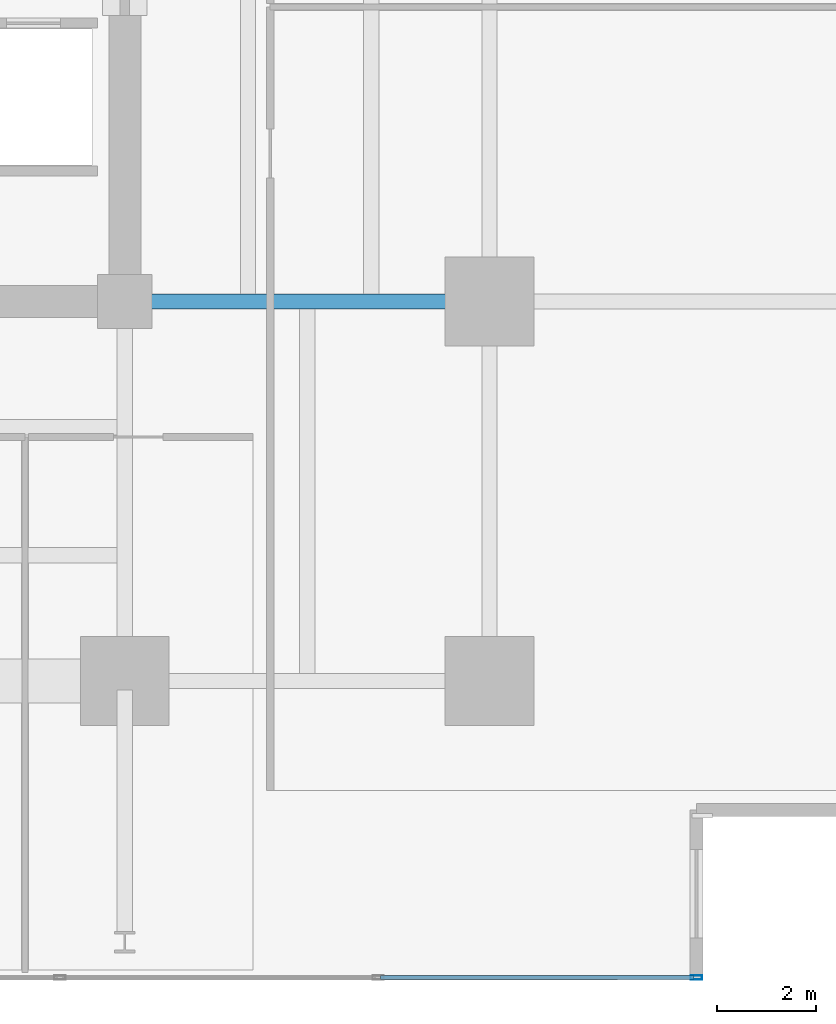
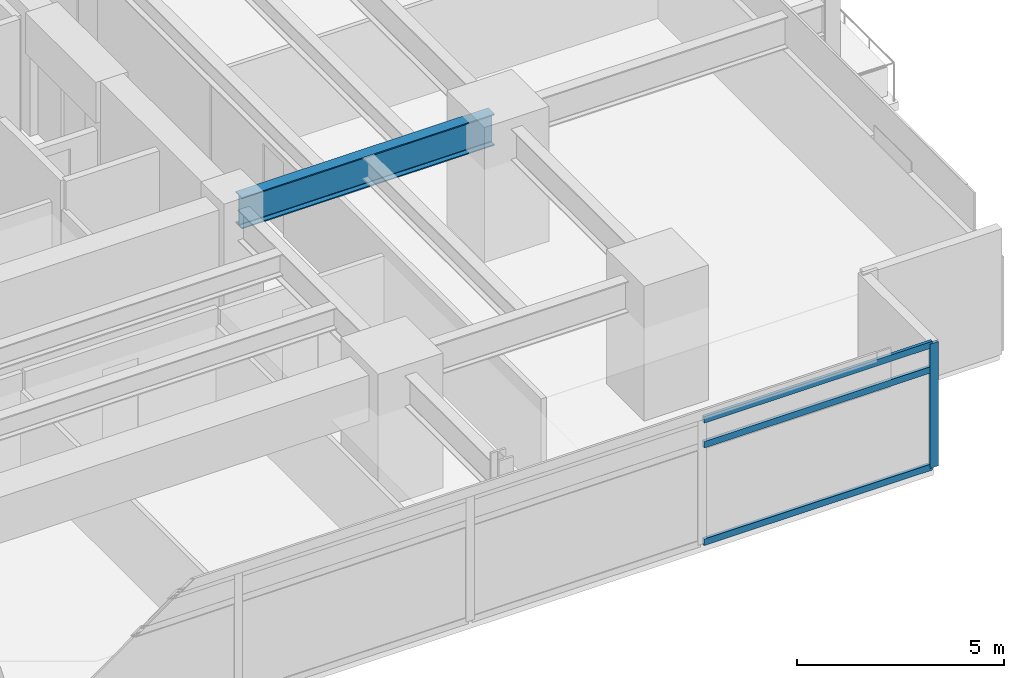
# One storey, part 6 of 23: 4 members, 1 beam, 1 element without a shape of its own.
"""IFC4 building model written with IfcOpenShell, lengths in metres."""

from ifc_helpers import new_model, si_unit, direction, frame, origin, origin_2d, place, context, subcontext, project, spatial, hollow_rectangle, i_section, extrude, material, material_profile, profile_set, type_object, element, aggregate, save


model = new_model("IFC4")

# Units and contexts
model_context = context("Model", 3, precision=1e-05, world=origin(), true_north=direction((0.0, 1.0)))
body_context = subcontext(model_context, "Body", "Model", "MODEL_VIEW")
ifc_project = project(units=[si_unit("LENGTHUNIT", "METRE"), si_unit("AREAUNIT", "SQUARE_METRE"), si_unit("VOLUMEUNIT", "CUBIC_METRE"), si_unit("PLANEANGLEUNIT", "RADIAN"), si_unit("MASSUNIT", "GRAM", prefix="KILO")], contexts=[model_context])

# Site, building, storey
site_placement = place(None, origin())
site = spatial("IfcSite", under=ifc_project, at=site_placement, CompositionType="ELEMENT")
building_placement = place(site_placement, origin())
building = spatial("IfcBuilding", under=site, at=building_placement, Name="Kovane Verandah Tower", CompositionType="ELEMENT")
storey_placement = place(building_placement, frame((0.0, 0.0, 103.60009765625)))
storey = spatial("IfcBuildingStorey", under=building, at=storey_placement, Name="L24", CompositionType="ELEMENT", Elevation=103.60009765625)

# Beam
ifc_material_1 = material(Name="Steel S460", Category="steel")
ifc_material_profile_1 = material_profile(ifc_material_1, i_section(OverallWidth=0.3076171875, OverallDepth=0.926513671875, WebThickness=0.01953125, FlangeThickness=0.031982421875, FilletRadius=0.01904296875, at=origin_2d()), Name="UB914x305x289")
ifc_profile_set_1 = profile_set([ifc_material_profile_1], Name="Steel S460")
beam_type = type_object("IfcBeamType", Name="BM-UB914x289", PredefinedType="BEAM", material=ifc_profile_set_1)
beam_placement = place(storey_placement, frame((51.179931640625, 18.5, 3.236572265625), z_axis=(1.0, 0.0, 0.0), x_axis=(0.0, 1.0, 0.0)))
element("IfcBeam", 1, at=beam_placement, inside=storey, type_object=beam_type, Name="L24 Primary Tower Girder G-E1", PredefinedType="BEAM", context=body_context, shape_type="SweptSolid", body=[
    extrude(i_section(OverallWidth=0.3076171875, OverallDepth=0.926513671875, WebThickness=0.01953125, FlangeThickness=0.031982421875, FilletRadius=0.01904296875, at=origin_2d()), origin(), (0.0, 0.0, 1.0), 7.0400390625),
])

# Curtain wall, members
ifc_material_2 = material(Name="Champagne Anodised Aluminium Frame with Low-E Clear Laminated Glass", Category="aluminium")
curtain_wall_type = type_object("IfcCurtainWallType", Name="CW-SYS-02-LOW", PredefinedType="NOTDEFINED", material=ifc_material_2)
curtain_wall_placement = place(storey_placement, origin())
curtain_wall = element("IfcCurtainWall", 2, at=curtain_wall_placement, inside=storey, type_object=curtain_wall_type, Name="L24 S Unitised Curtain Wall", PredefinedType="NOTDEFINED")
ifc_material_3 = material(Name="Champagne Anodised Aluminium 6063-T6", Category="aluminium")
ifc_material_profile_2 = material_profile(ifc_material_3, hollow_rectangle(XDim=0.0849609375, YDim=0.22998046875, WallThickness=0.00390625, at=origin_2d()), Name="AL85x230x4")
ifc_profile_set_2 = profile_set([ifc_material_profile_2], Name="Champagne Anodised Aluminium 6063-T6")
member_type_1 = type_object("IfcMemberType", Name="CW-MUL-85x230", PredefinedType="MULLION", material=ifc_profile_set_2)
member_1_placement = place(storey_placement, frame((62.5986328125, 4.781005859375, 0.02001953125), z_axis=(0.0, 0.0, 1.0), x_axis=(0.0, -1.0, 0.0)))
member_1 = element("IfcMember", 3, at=member_1_placement, type_object=member_type_1, Name="L24 S Unitised Curtain Wall Mullion 8", PredefinedType="MULLION", context=body_context, shape_type="SweptSolid", body=[
    extrude(hollow_rectangle(XDim=0.0849609375, YDim=0.22998046875, WallThickness=0.00390625, at=origin_2d()), origin(), (0.0, 0.0, 1.0), 3.659912109375),
])
ifc_material_profile_3 = material_profile(ifc_material_3, hollow_rectangle(XDim=0.0849609375, YDim=0.18994140625, WallThickness=0.00390625, at=origin_2d()), Name="AL85x190x4")
ifc_profile_set_3 = profile_set([ifc_material_profile_3], Name="Champagne Anodised Aluminium 6063-T6")
member_type_2 = type_object("IfcMemberType", Name="CW-TRN-85x190", PredefinedType="USERDEFINED", material=ifc_profile_set_3)
member_2_placement = place(storey_placement, frame((56.19189453125, 4.781005859375, 0.0498046875), z_axis=(1.0, 0.0, 0.0), x_axis=(0.0, 1.0, 0.0)))
member_2 = element("IfcMember", 4, at=member_2_placement, type_object=member_type_2, Name="L24 S Unitised Curtain Wall Transom TB Bay 7", ObjectType="TRANSOM", PredefinedType="USERDEFINED", context=body_context, shape_type="SweptSolid", body=[
    extrude(hollow_rectangle(XDim=0.0849609375, YDim=0.18994140625, WallThickness=0.00390625, at=origin_2d()), origin(), (0.0, 0.0, 1.0), 6.356689453125),
])
member_3_placement = place(storey_placement, frame((56.19189453125, 4.781005859375, 2.919921875), z_axis=(1.0, 0.0, 0.0), x_axis=(0.0, 1.0, 0.0)))
member_3 = element("IfcMember", 5, at=member_3_placement, type_object=member_type_2, Name="L24 S Unitised Curtain Wall Transom TM Bay 7", ObjectType="TRANSOM", PredefinedType="USERDEFINED", context=body_context, shape_type="SweptSolid", body=[
    extrude(hollow_rectangle(XDim=0.0849609375, YDim=0.18994140625, WallThickness=0.00390625, at=origin_2d()), origin(), (0.0, 0.0, 1.0), 6.356689453125),
])
member_4_placement = place(storey_placement, frame((56.19189453125, 4.781005859375, 3.64990234375), z_axis=(1.0, 0.0, 0.0), x_axis=(0.0, 1.0, 0.0)))
member_4 = element("IfcMember", 6, at=member_4_placement, type_object=member_type_2, Name="L24 S Unitised Curtain Wall Transom TT Bay 7", ObjectType="TRANSOM", PredefinedType="USERDEFINED", context=body_context, shape_type="SweptSolid", body=[
    extrude(hollow_rectangle(XDim=0.0849609375, YDim=0.18994140625, WallThickness=0.00390625, at=origin_2d()), origin(), (0.0, 0.0, 1.0), 6.356689453125),
])
aggregate(curtain_wall, [member_1, member_2, member_3, member_4])

save(model, "model.ifc")
